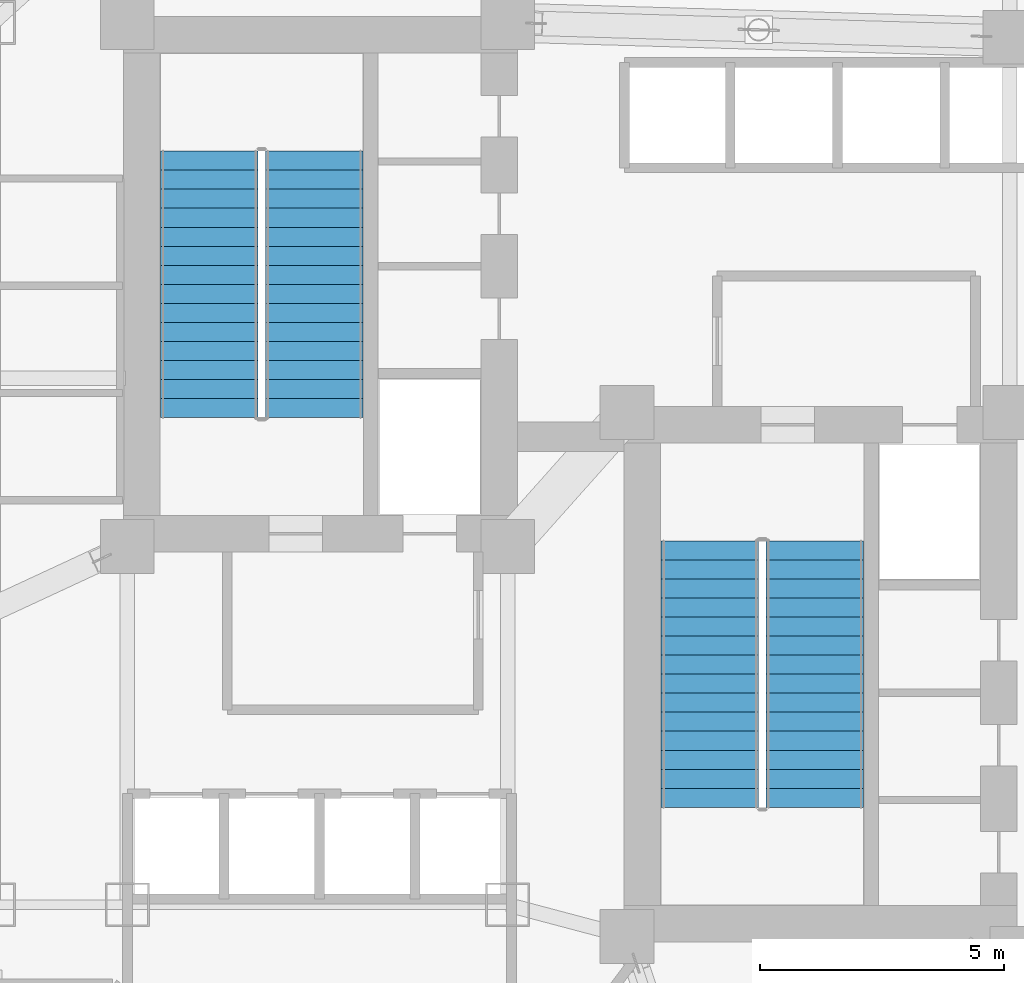
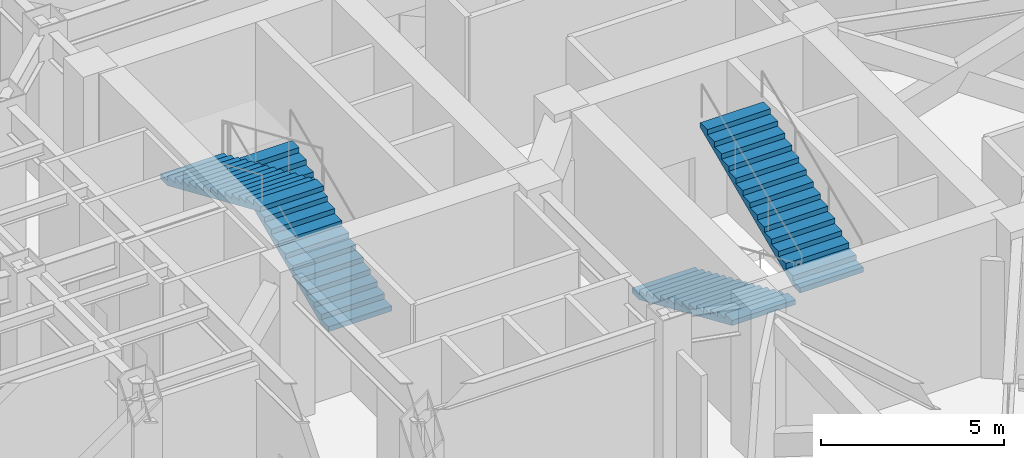
# One storey, part 10 of 14: 4 stair flights, 2 elements without a shape of their own.
"""IFC4 building model written with IfcOpenShell, lengths in metres."""

import ifcopenshell
import ifcopenshell.guid

model = None  # the IFC model being written
_history = None  # IfcOwnerHistory: only IFC2X3 demands one
_inside = {}  # id of a spatial element -> (the spatial element, [elements in it])
_under = {}  # id of a project, library or spatial element -> (it, [spatial elements below it])
_declared = {}  # id of a project -> (the project, [libraries it declares])
_typed = {}  # id of a type object -> (the type object, [elements of that type])
_made_of = {}  # id of a material, layer set ... -> (it, [elements and type objects made of it])


def new_model(schema):
    """Start an empty IFC model of exactly this schema.

    Asked for "IFC4X3", IfcOpenShell would pick the latest addendum, in which some entities
    have other attributes; the version numbers below select the first issue.
    IFC2X3 requires an IfcOwnerHistory on every rooted entity: one is made here for all.
    """
    global model, _history
    if schema == "IFC4X3":
        model = ifcopenshell.file(schema_version=(4, 3, 0, 0))
    else:
        model = ifcopenshell.file(schema=schema)
    _inside.clear()
    _under.clear()
    _declared.clear()
    _typed.clear()
    _made_of.clear()
    _history = None
    if model.schema == "IFC2X3":
        org = make("IfcOrganization", Name="unknown")
        user = make(
            "IfcPersonAndOrganization",
            ThePerson=make("IfcPerson", FamilyName="unknown"),
            TheOrganization=org,
        )
        app = make(
            "IfcApplication",
            ApplicationDeveloper=org,
            Version="unknown",
            ApplicationFullName="unknown",
            ApplicationIdentifier="unknown",
        )
        _history = make(
            "IfcOwnerHistory",
            OwningUser=user,
            OwningApplication=app,
            ChangeAction="ADDED",
            CreationDate=0,
        )
    return model


def make(cls, **values):
    """One entity of the class cls with the attributes given. An attribute that is None is left unset."""
    return model.create_entity(
        cls, **{name: value for name, value in values.items() if value is not None}
    )


def rooted(cls, **values):
    """An entity with a GlobalId (a new one), such as an element, a storey or a relation."""
    return make(cls, GlobalId=ifcopenshell.guid.new(), OwnerHistory=_history, **values)


def si_unit(unit_type, name, prefix=None):
    """IfcSIUnit, for example si_unit("LENGTHUNIT", "METRE", prefix="MILLI")."""
    return make("IfcSIUnit", UnitType=unit_type, Prefix=prefix, Name=name)


def assignment(units):
    """IfcUnitAssignment: the units of a project."""
    return None if units is None else make("IfcUnitAssignment", Units=units)


def point(xyz):
    """IfcCartesianPoint."""
    return None if xyz is None else make("IfcCartesianPoint", Coordinates=xyz)


def direction(xyz):
    """IfcDirection."""
    return None if xyz is None else make("IfcDirection", DirectionRatios=xyz)


def frame(location, z_axis=None, x_axis=None):
    """IfcAxis2Placement3D, a coordinate frame: its origin and axes. An axis left out is left unset."""
    return make(
        "IfcAxis2Placement3D",
        Location=point(location),
        Axis=direction(z_axis),
        RefDirection=direction(x_axis),
    )


def origin():
    """The frame at (0, 0, 0) with its axes left unset."""
    return frame((0.0, 0.0, 0.0))


def place(relative_to, where):
    """IfcLocalPlacement: puts the frame where relative to a parent placement (None: the world)."""
    return make(
        "IfcLocalPlacement", PlacementRelTo=relative_to, RelativePlacement=where
    )


def context(
    kind, dimensions, precision=None, world=None, true_north=None, identifier=None
):
    """IfcGeometricRepresentationContext, for example the 3D "Model" context."""
    return make(
        "IfcGeometricRepresentationContext",
        ContextIdentifier=identifier,
        ContextType=kind,
        CoordinateSpaceDimension=dimensions,
        Precision=precision,
        WorldCoordinateSystem=world,
        TrueNorth=true_north,
    )


def subcontext(parent, identifier, kind, view, scale=None):
    """IfcGeometricRepresentationSubContext, for example "Body" below "Model"."""
    return make(
        "IfcGeometricRepresentationSubContext",
        ContextIdentifier=identifier,
        ContextType=kind,
        ParentContext=parent,
        TargetScale=scale,
        TargetView=view,
    )


def project(units=None, contexts=None):
    """IfcProject with its units and contexts."""
    return rooted(
        "IfcProject",
        Name="project",
        RepresentationContexts=contexts,
        UnitsInContext=assignment(units),
    )


def spatial(cls, under=None, at=None, **own):
    """A site, building, storey or space (cls), placed at a placement, below another one or the project."""
    s = rooted(cls, ObjectPlacement=at, **own)
    if under is not None:
        _under.setdefault(under.id(), (under, []))[1].append(s)
    return s


def polyline(points):
    """IfcPolyline through the points."""
    return make("IfcPolyline", Points=[point(p) for p in points])


def outline(outer, holes=None, kind="AREA"):
    """IfcArbitraryClosedProfileDef: a profile drawn as a closed curve; with holes, ...WithVoids."""
    if holes is None:
        return make("IfcArbitraryClosedProfileDef", ProfileType=kind, OuterCurve=outer)
    return make(
        "IfcArbitraryProfileDefWithVoids",
        ProfileType=kind,
        OuterCurve=outer,
        InnerCurves=holes,
    )


def extrude(swept, where, along, depth):
    """IfcExtrudedAreaSolid: the profile swept, set in the frame where, extruded along a direction by depth."""
    return make(
        "IfcExtrudedAreaSolid",
        SweptArea=swept,
        Position=where,
        ExtrudedDirection=direction(along),
        Depth=depth,
    )


def shape(context_of_items, identifier, shape_type, items):
    """IfcShapeRepresentation: the items that make up one representation, for example the "Body"."""
    return make(
        "IfcShapeRepresentation",
        ContextOfItems=context_of_items,
        RepresentationIdentifier=identifier,
        RepresentationType=shape_type,
        Items=items,
    )


def material(Name=None, Category=None):
    """IfcMaterial."""
    return make("IfcMaterial", Name=Name, Category=Category)


def made_of(thing, what):
    """Note that an element or type object is made of a material, layer set ...; save() writes the relation."""
    if what is not None:
        _made_of.setdefault(what.id(), (what, []))[1].append(thing)
    return thing


def type_object(cls, material=None, **own):
    """A type object (cls), such as IfcWallType, which elements share."""
    return made_of(rooted(cls, **own), material)


def element(
    cls,
    number,
    at=None,
    inside=None,
    cuts=None,
    type_object=None,
    material=None,
    context=None,
    identifier="Body",
    shape_type=None,
    held_by="IfcProductDefinitionShape",
    body=None,
    shapes=None,
    **own,
):
    """One element of the class cls, such as IfcWall. Its Tag is "e" and its number.

    at: its placement. inside: the storey or other place that contains it. cuts: it is an
    opening in that element (IfcRelVoidsElement). A single representation is given by context,
    identifier, shape_type and body (its items); several are given by shapes. held_by: the class
    of the entity that holds the representations. save() writes the other relations.
    """
    e = rooted(cls, Tag="e%d" % number, ObjectPlacement=at, **own)
    if body is not None:
        shapes = [shape(context, identifier, shape_type, body)]
    if shapes is not None:
        e.Representation = make(held_by, Representations=shapes)
    if inside is not None:
        _inside.setdefault(inside.id(), (inside, []))[1].append(e)
    if cuts is not None:
        rooted(
            "IfcRelVoidsElement", RelatingBuildingElement=cuts, RelatedOpeningElement=e
        )
    if type_object is not None:
        _typed.setdefault(type_object.id(), (type_object, []))[1].append(e)
    return made_of(e, material)


def aggregate(whole, parts):
    """IfcRelAggregates: a whole, such as a stair, and the parts it consists of."""
    return rooted("IfcRelAggregates", RelatingObject=whole, RelatedObjects=parts)


def save(model, path):
    """Write the relations noted so far, then the file.

    IfcRelAggregates (storeys below a building ...), IfcRelContainedInSpatialStructure (elements
    in a storey), IfcRelDefinesByType, IfcRelAssociatesMaterial and IfcRelDeclares: one each for
    every whole, place, type object, material and project.
    """
    for whole, parts in _under.values():
        aggregate(whole, parts)
    for where, things in _inside.values():
        rooted(
            "IfcRelContainedInSpatialStructure",
            RelatedElements=things,
            RelatingStructure=where,
        )
    for kind, things in _typed.values():
        rooted("IfcRelDefinesByType", RelatedObjects=things, RelatingType=kind)
    for what, things in _made_of.values():
        rooted("IfcRelAssociatesMaterial", RelatedObjects=things, RelatingMaterial=what)
    for by, libraries in _declared.values():
        rooted("IfcRelDeclares", RelatingContext=by, RelatedDefinitions=libraries)
    model.write(path)


model = new_model("IFC4")

# Units and contexts
model_context = context("Model", 3, precision=1e-05, world=origin(), true_north=direction((0.0, 1.0)))
body_context = subcontext(model_context, "Body", "Model", "MODEL_VIEW")
ifc_project = project(units=[si_unit("LENGTHUNIT", "METRE"), si_unit("AREAUNIT", "SQUARE_METRE"), si_unit("VOLUMEUNIT", "CUBIC_METRE"), si_unit("PLANEANGLEUNIT", "RADIAN"), si_unit("MASSUNIT", "GRAM", prefix="KILO")], contexts=[model_context])

# Site, building, storey
site_placement = place(None, origin())
site = spatial("IfcSite", under=ifc_project, at=site_placement, CompositionType="ELEMENT")
building_placement = place(site_placement, origin())
building = spatial("IfcBuilding", under=site, at=building_placement, Name="Hatsunagi Terrace Concourse", CompositionType="ELEMENT")
storey_placement = place(building_placement, frame((0.0, 0.0, 91.35009765625)))
storey = spatial("IfcBuildingStorey", under=building, at=storey_placement, Name="L24", CompositionType="ELEMENT", Elevation=91.35009765625)

# Stair, stair flights
ifc_material_1 = material(Name="Concrete Fc42", Category="concrete")
stair_type = type_object("IfcStairType", Name="DoglegExitStair_Tower2000_30R_170", PredefinedType="HALF_TURN_STAIR", material=ifc_material_1)
stair_1_placement = place(storey_placement, origin())
stair_1 = element("IfcStair", 1, at=stair_1_placement, inside=storey, type_object=stair_type, Name="L24 Core A Protected Exit Stair ST-A", PredefinedType="HALF_TURN_STAIR")
ifc_material_2 = material(Name="Concrete Fc42", Category="concrete")
stair_flight_type = type_object("IfcStairFlightType", Name="DoglegStairFlight_Tower2000_30R_170", PredefinedType="STRAIGHT", material=ifc_material_2)
stair_flight_1_placement = place(storey_placement, frame((29.3798828125, 35.199951171875, 0.0), z_axis=(0.0, 0.0, 1.0), x_axis=(0.0, 1.0, 0.0)))
stair_flight_1 = element("IfcStairFlight", 2, at=stair_flight_1_placement, type_object=stair_flight_type, Name="ST-A flight 1", NumberOfRisers=15, NumberOfTreads=14, PredefinedType="STRAIGHT", RiserHeight=0.17, TreadLength=0.39, context=body_context, shape_type="SweptSolid", body=[
    extrude(outline(polyline([(0.0, 0.0), (0.0, 0.169921875), (0.389892578125, 0.169921875), (0.389892578125, 0.340087890625), (0.780029296875, 0.340087890625), (0.780029296875, 0.510009765625), (1.169921875, 0.510009765625), (1.169921875, 0.679931640625), (1.56005859375, 0.679931640625), (1.56005859375, 0.85009765625), (1.949951171875, 0.85009765625), (1.949951171875, 1.02001953125), (2.340087890625, 1.02001953125), (2.340087890625, 1.18994140625), (2.72998046875, 1.18994140625), (2.72998046875, 1.360107421875), (3.1201171875, 1.360107421875), (3.1201171875, 1.530029296875), (3.510009765625, 1.530029296875), (3.510009765625, 1.699951171875), (3.89990234375, 1.699951171875), (3.89990234375, 1.8701171875), (4.2900390625, 1.8701171875), (4.2900390625, 2.0400390625), (4.679931640625, 2.0400390625), (4.679931640625, 2.2099609375), (5.070068359375, 2.2099609375), (5.070068359375, 2.3798828125), (5.4599609375, 2.3798828125), (5.4599609375, 2.550048828125), (5.4599609375, 2.216552734375), (0.375244140625, 0.0), (0.0, 0.0)])), frame((0.0, 1.0, 0.0), z_axis=(0.0, -1.0, 0.0), x_axis=(1.0, 0.0, 0.0)), (0.0, 0.0, 1.0), 2.0),
])
stair_flight_2_placement = place(storey_placement, frame((27.22998046875, 40.659912109375, 2.5498046875), z_axis=(0.0, 0.0, 1.0), x_axis=(0.0, -1.0, 0.0)))
stair_flight_2 = element("IfcStairFlight", 3, at=stair_flight_2_placement, type_object=stair_flight_type, Name="ST-A flight 2", NumberOfRisers=15, NumberOfTreads=14, PredefinedType="STRAIGHT", RiserHeight=0.17, TreadLength=0.39, context=body_context, shape_type="SweptSolid", body=[
    extrude(outline(polyline([(0.0, 0.0), (0.0, 0.169921875), (0.389892578125, 0.169921875), (0.389892578125, 0.340087890625), (0.780029296875, 0.340087890625), (0.780029296875, 0.510009765625), (1.169921875, 0.510009765625), (1.169921875, 0.679931640625), (1.56005859375, 0.679931640625), (1.56005859375, 0.85009765625), (1.949951171875, 0.85009765625), (1.949951171875, 1.02001953125), (2.340087890625, 1.02001953125), (2.340087890625, 1.18994140625), (2.72998046875, 1.18994140625), (2.72998046875, 1.360107421875), (3.1201171875, 1.360107421875), (3.1201171875, 1.530029296875), (3.510009765625, 1.530029296875), (3.510009765625, 1.699951171875), (3.89990234375, 1.699951171875), (3.89990234375, 1.8701171875), (4.2900390625, 1.8701171875), (4.2900390625, 2.0400390625), (4.679931640625, 2.0400390625), (4.679931640625, 2.2099609375), (5.070068359375, 2.2099609375), (5.070068359375, 2.3798828125), (5.4599609375, 2.3798828125), (5.4599609375, 2.550048828125), (5.4599609375, 2.216552734375), (0.375244140625, 0.0), (0.0, 0.0)])), frame((0.0, 1.0, 0.0), z_axis=(0.0, -1.0, 0.0), x_axis=(1.0, 0.0, 0.0)), (0.0, 0.0, 1.0), 2.0),
])
aggregate(stair_1, [stair_flight_1, stair_flight_2])

stair_2_placement = place(storey_placement, origin())
stair_2 = element("IfcStair", 4, at=stair_2_placement, inside=storey, type_object=stair_type, Name="L24 Core B Protected Exit Stair ST-B", PredefinedType="HALF_TURN_STAIR")
stair_flight_3_placement = place(storey_placement, frame((37.5, 32.659912109375, 0.0), z_axis=(0.0, 0.0, 1.0), x_axis=(0.0, -1.0, 0.0)))
stair_flight_3 = element("IfcStairFlight", 5, at=stair_flight_3_placement, type_object=stair_flight_type, Name="ST-B flight 1", NumberOfRisers=15, NumberOfTreads=14, PredefinedType="STRAIGHT", RiserHeight=0.17, TreadLength=0.39, context=body_context, shape_type="SweptSolid", body=[
    extrude(outline(polyline([(0.0, 0.0), (0.0, 0.169921875), (0.389892578125, 0.169921875), (0.389892578125, 0.340087890625), (0.780029296875, 0.340087890625), (0.780029296875, 0.510009765625), (1.169921875, 0.510009765625), (1.169921875, 0.679931640625), (1.56005859375, 0.679931640625), (1.56005859375, 0.85009765625), (1.949951171875, 0.85009765625), (1.949951171875, 1.02001953125), (2.340087890625, 1.02001953125), (2.340087890625, 1.18994140625), (2.72998046875, 1.18994140625), (2.72998046875, 1.360107421875), (3.1201171875, 1.360107421875), (3.1201171875, 1.530029296875), (3.510009765625, 1.530029296875), (3.510009765625, 1.699951171875), (3.89990234375, 1.699951171875), (3.89990234375, 1.8701171875), (4.2900390625, 1.8701171875), (4.2900390625, 2.0400390625), (4.679931640625, 2.0400390625), (4.679931640625, 2.2099609375), (5.070068359375, 2.2099609375), (5.070068359375, 2.3798828125), (5.4599609375, 2.3798828125), (5.4599609375, 2.550048828125), (5.4599609375, 2.216552734375), (0.375244140625, 0.0), (0.0, 0.0)])), frame((0.0, 1.0, 0.0), z_axis=(0.0, -1.0, 0.0), x_axis=(1.0, 0.0, 0.0)), (0.0, 0.0, 1.0), 2.0),
])
stair_flight_4_placement = place(storey_placement, frame((39.64990234375, 27.199951171875, 2.5498046875), z_axis=(0.0, 0.0, 1.0), x_axis=(0.0, 1.0, 0.0)))
stair_flight_4 = element("IfcStairFlight", 6, at=stair_flight_4_placement, type_object=stair_flight_type, Name="ST-B flight 2", NumberOfRisers=15, NumberOfTreads=14, PredefinedType="STRAIGHT", RiserHeight=0.17, TreadLength=0.39, context=body_context, shape_type="SweptSolid", body=[
    extrude(outline(polyline([(0.0, 0.0), (0.0, 0.169921875), (0.389892578125, 0.169921875), (0.389892578125, 0.340087890625), (0.780029296875, 0.340087890625), (0.780029296875, 0.510009765625), (1.169921875, 0.510009765625), (1.169921875, 0.679931640625), (1.56005859375, 0.679931640625), (1.56005859375, 0.85009765625), (1.949951171875, 0.85009765625), (1.949951171875, 1.02001953125), (2.340087890625, 1.02001953125), (2.340087890625, 1.18994140625), (2.72998046875, 1.18994140625), (2.72998046875, 1.360107421875), (3.1201171875, 1.360107421875), (3.1201171875, 1.530029296875), (3.510009765625, 1.530029296875), (3.510009765625, 1.699951171875), (3.89990234375, 1.699951171875), (3.89990234375, 1.8701171875), (4.2900390625, 1.8701171875), (4.2900390625, 2.0400390625), (4.679931640625, 2.0400390625), (4.679931640625, 2.2099609375), (5.070068359375, 2.2099609375), (5.070068359375, 2.3798828125), (5.4599609375, 2.3798828125), (5.4599609375, 2.550048828125), (5.4599609375, 2.216552734375), (0.375244140625, 0.0), (0.0, 0.0)])), frame((0.0, 1.0, 0.0), z_axis=(0.0, -1.0, 0.0), x_axis=(1.0, 0.0, 0.0)), (0.0, 0.0, 1.0), 2.0),
])
aggregate(stair_2, [stair_flight_3, stair_flight_4])

save(model, "model.ifc")
